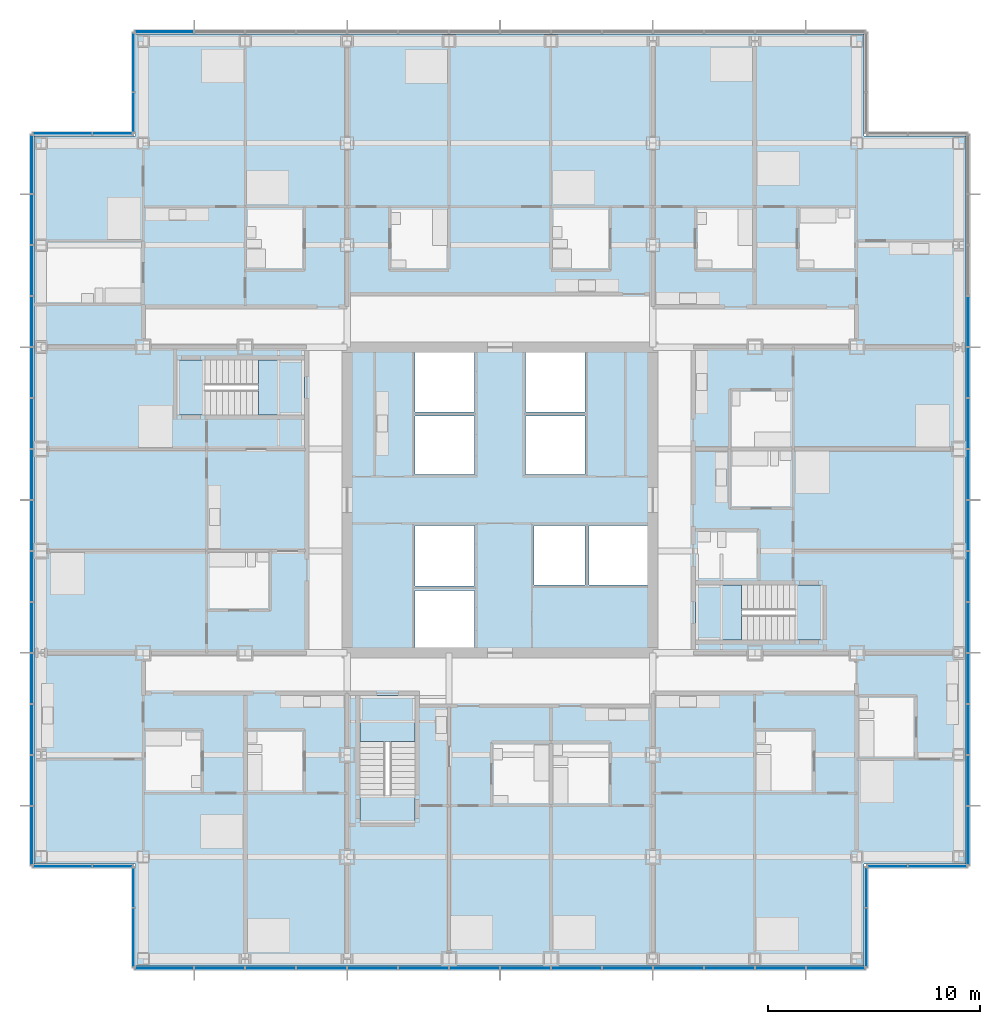
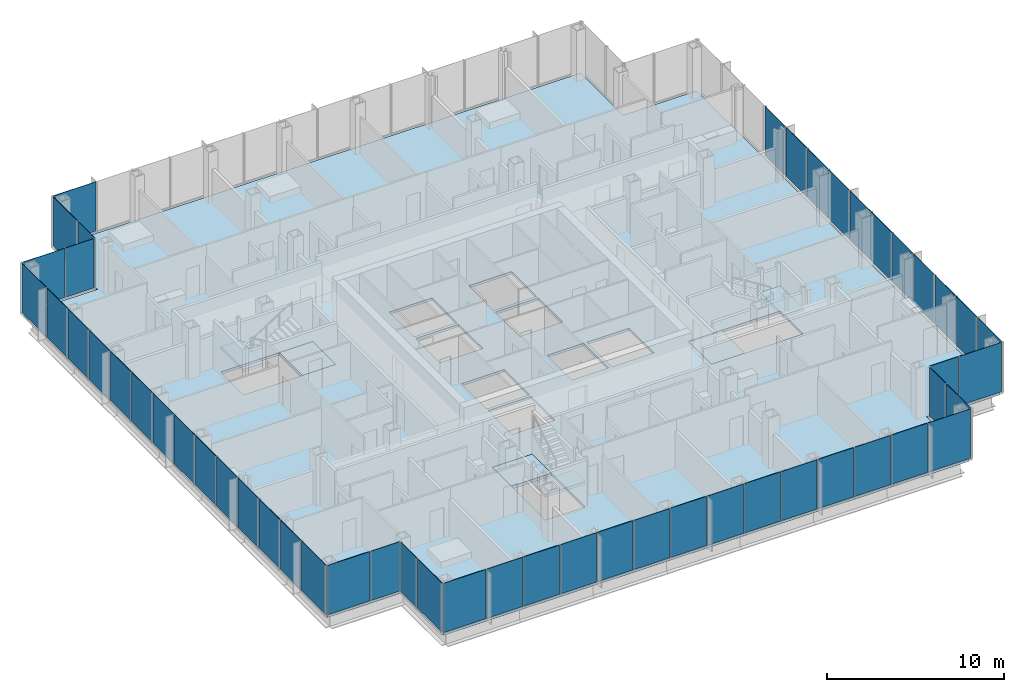
# One storey, part 12 of 21: 52 plates, 7 slabs, 13 elements without a shape of their own.
"""IFC4 building model written with IfcOpenShell, lengths in metres."""

from ifc_helpers import new_model, si_unit, direction, frame, origin, origin_2d, place, context, subcontext, project, spatial, polyline, rectangle, outline, extrude, material, layer, layer_set, type_object, element, aggregate, save


model = new_model("IFC4")

# Units and contexts
model_context = context("Model", 3, precision=1e-05, world=origin(), true_north=direction((0.0, 1.0)))
body_context = subcontext(model_context, "Body", "Model", "MODEL_VIEW")
ifc_project = project(units=[si_unit("LENGTHUNIT", "METRE"), si_unit("AREAUNIT", "SQUARE_METRE"), si_unit("VOLUMEUNIT", "CUBIC_METRE"), si_unit("PLANEANGLEUNIT", "RADIAN"), si_unit("MASSUNIT", "GRAM", prefix="KILO")], contexts=[model_context])

# Site, building, storey
site_placement = place(None, origin())
site = spatial("IfcSite", under=ifc_project, at=site_placement, CompositionType="ELEMENT")
building_placement = place(site_placement, origin())
building = spatial("IfcBuilding", under=site, at=building_placement, Name="Kvirike Care Tower", CompositionType="ELEMENT")
storey_placement = place(building_placement, frame((0.0, 0.0, 37.5)))
storey = spatial("IfcBuildingStorey", under=building, at=storey_placement, Name="L09", CompositionType="ELEMENT", Elevation=37.5)

# Slab
ifc_material_1 = material(Name="Concrete C35/45", Category="concrete")
ifc_layer_1 = layer(ifc_material_1, 0.169921875)
ifc_layer_set_1 = layer_set([ifc_layer_1], Name="FLOOR SLAB 170")
slab_type_1 = type_object("IfcSlabType", Name="FLOOR SLAB 170", PredefinedType="FLOOR", material=ifc_layer_set_1)
slab_1_placement = place(storey_placement, frame((0.0, 0.0, -0.169921875)))
element("IfcSlab", 1, at=slab_1_placement, inside=storey, type_object=slab_type_1, Name="Floor slab L09", PredefinedType="FLOOR", context=body_context, shape_type="SweptSolid", body=[
    extrude(outline(polyline([(-0.35009765625, 53.14990234375), (-0.35009765625, 18.85009765625), (4.449951171875, 18.85009765625), (4.449951171875, 14.050048828125), (38.75, 14.050048828125), (38.75, 18.85009765625), (43.550048828125, 18.85009765625), (43.550048828125, 53.14990234375), (38.75, 53.14990234375), (38.75, 57.949951171875), (4.449951171875, 57.949951171875), (4.449951171875, 53.14990234375), (-0.35009765625, 53.14990234375)]), holes=[polyline([(17.60009765625, 29.050048828125), (17.60009765625, 31.75), (20.39990234375, 31.75), (20.39990234375, 29.050048828125), (17.60009765625, 29.050048828125)]), polyline([(17.60009765625, 31.949951171875), (17.60009765625, 34.800048828125), (20.39990234375, 34.800048828125), (20.39990234375, 31.949951171875), (17.60009765625, 31.949951171875)]), polyline([(17.60009765625, 37.199951171875), (17.60009765625, 39.949951171875), (20.39990234375, 39.949951171875), (20.39990234375, 37.199951171875), (17.60009765625, 37.199951171875)]), polyline([(17.60009765625, 40.14990234375), (17.60009765625, 42.949951171875), (20.39990234375, 42.949951171875), (20.39990234375, 40.14990234375), (17.60009765625, 40.14990234375)]), polyline([(22.800048828125, 37.199951171875), (22.800048828125, 39.949951171875), (25.60009765625, 39.949951171875), (25.60009765625, 37.199951171875), (22.800048828125, 37.199951171875)]), polyline([(22.800048828125, 40.14990234375), (22.800048828125, 42.949951171875), (25.60009765625, 42.949951171875), (25.60009765625, 40.14990234375), (22.800048828125, 40.14990234375)]), polyline([(23.199951171875, 32.0), (23.199951171875, 34.800048828125), (25.60009765625, 34.800048828125), (25.60009765625, 32.0), (23.199951171875, 32.0)]), polyline([(25.800048828125, 32.0), (25.800048828125, 34.800048828125), (28.550048828125, 34.800048828125), (28.550048828125, 32.0), (25.800048828125, 32.0)]), polyline([(12.39990234375, 42.60009765625), (12.39990234375, 40.0), (6.39990234375, 40.0), (6.39990234375, 42.60009765625), (12.39990234375, 42.60009765625)]), polyline([(30.800048828125, 29.39990234375), (30.800048828125, 32.0), (36.800048828125, 32.0), (36.800048828125, 29.39990234375), (30.800048828125, 29.39990234375)]), polyline([(15.0, 26.800048828125), (17.60009765625, 26.800048828125), (17.60009765625, 20.800048828125), (15.0, 20.800048828125), (15.0, 26.800048828125)])]), origin(), (0.0, 0.0, 1.0), 0.169921875),
])

# Stair, slabs
ifc_material_2 = material(Name="Concrete C35/45", Category="concrete")
stair_type = type_object("IfcStairType", Name="STAIR 20 RISERS", PredefinedType="HALF_TURN_STAIR", material=ifc_material_2)
stair_1_placement = place(storey_placement, origin())
stair_1 = element("IfcStair", 2, at=stair_1_placement, inside=storey, type_object=stair_type, Name="Stair 1 L09", PredefinedType="HALF_TURN_STAIR")
ifc_material_3 = material(Name="Concrete C35/45", Category="concrete")
ifc_layer_2 = layer(ifc_material_3, 0.199951171875)
ifc_layer_set_2 = layer_set([ifc_layer_2], Name="STAIR LANDING 200")
slab_type_2 = type_object("IfcSlabType", Name="STAIR LANDING 200", PredefinedType="LANDING", material=ifc_layer_set_2)
slab_2_placement = place(storey_placement, frame((0.0, 0.0, -0.199951171875)))
slab_2 = element("IfcSlab", 3, at=slab_2_placement, type_object=slab_type_2, Name="Stair S1 floor landing L09", PredefinedType="LANDING", context=body_context, shape_type="SweptSolid", body=[
    extrude(outline(polyline([(10.219970703125, 42.60009765625), (10.219970703125, 40.0), (12.39990234375, 40.0), (12.39990234375, 42.60009765625), (10.219970703125, 42.60009765625)])), origin(), (0.0, 0.0, 1.0), 0.199951171875),
])
slab_3_placement = place(storey_placement, frame((0.0, 0.0, 1.550048828125)))
slab_3 = element("IfcSlab", 4, at=slab_3_placement, type_object=slab_type_2, Name="Stair S1 half landing L09-L10", PredefinedType="LANDING", context=body_context, shape_type="SweptSolid", body=[
    extrude(outline(polyline([(6.39990234375, 42.60009765625), (6.39990234375, 40.0), (7.699951171875, 40.0), (7.699951171875, 42.60009765625), (6.39990234375, 42.60009765625)])), origin(), (0.0, 0.0, 1.0), 0.199951171875),
])
aggregate(stair_1, [slab_2, slab_3])

stair_2_placement = place(storey_placement, origin())
stair_2 = element("IfcStair", 5, at=stair_2_placement, inside=storey, type_object=stair_type, Name="Stair 2 L09", PredefinedType="HALF_TURN_STAIR")
slab_4_placement = place(storey_placement, frame((0.0, 0.0, -0.199951171875)))
slab_4 = element("IfcSlab", 6, at=slab_4_placement, type_object=slab_type_2, Name="Stair S2 floor landing L09", PredefinedType="LANDING", context=body_context, shape_type="SweptSolid", body=[
    extrude(outline(polyline([(32.97998046875, 29.39990234375), (32.97998046875, 32.0), (30.800048828125, 32.0), (30.800048828125, 29.39990234375), (32.97998046875, 29.39990234375)])), origin(), (0.0, 0.0, 1.0), 0.199951171875),
])
slab_5_placement = place(storey_placement, frame((0.0, 0.0, 1.550048828125)))
slab_5 = element("IfcSlab", 7, at=slab_5_placement, type_object=slab_type_2, Name="Stair S2 half landing L09-L10", PredefinedType="LANDING", context=body_context, shape_type="SweptSolid", body=[
    extrude(outline(polyline([(36.800048828125, 29.39990234375), (36.800048828125, 32.0), (35.5, 32.0), (35.5, 29.39990234375), (36.800048828125, 29.39990234375)])), origin(), (0.0, 0.0, 1.0), 0.199951171875),
])
aggregate(stair_2, [slab_4, slab_5])

stair_3_placement = place(storey_placement, origin())
stair_3 = element("IfcStair", 8, at=stair_3_placement, inside=storey, type_object=stair_type, Name="Stair 5 L09", PredefinedType="HALF_TURN_STAIR")
slab_6_placement = place(storey_placement, frame((0.0, 0.0, -0.199951171875)))
slab_6 = element("IfcSlab", 9, at=slab_6_placement, type_object=slab_type_2, Name="Stair S5 floor landing L09", PredefinedType="LANDING", context=body_context, shape_type="SweptSolid", body=[
    extrude(outline(polyline([(15.0, 24.6201171875), (17.60009765625, 24.6201171875), (17.60009765625, 26.800048828125), (15.0, 26.800048828125), (15.0, 24.6201171875)])), origin(), (0.0, 0.0, 1.0), 0.199951171875),
])
slab_7_placement = place(storey_placement, frame((0.0, 0.0, 1.550048828125)))
slab_7 = element("IfcSlab", 10, at=slab_7_placement, type_object=slab_type_2, Name="Stair S5 half landing L09-L10", PredefinedType="LANDING", context=body_context, shape_type="SweptSolid", body=[
    extrude(outline(polyline([(15.0, 20.800048828125), (17.60009765625, 20.800048828125), (17.60009765625, 22.10009765625), (15.0, 22.10009765625), (15.0, 20.800048828125)])), origin(), (0.0, 0.0, 1.0), 0.199951171875),
])
aggregate(stair_3, [slab_6, slab_7])

# Curtain wall, plates
ifc_material_4 = material(Name="Anodised aluminium stick system", Category="aluminium")
curtain_wall_type = type_object("IfcCurtainWallType", Name="CW-A STICK CURTAIN WALL", PredefinedType="NOTDEFINED", material=ifc_material_4)
curtain_wall_1_placement = place(storey_placement, origin())
curtain_wall_1 = element("IfcCurtainWall", 11, at=curtain_wall_1_placement, inside=storey, type_object=curtain_wall_type, Name="Curtain wall L09 face 1", PredefinedType="NOTDEFINED")
ifc_material_5 = material(Name="Tinted double glazed unit", Category="glass")
ifc_layer_3 = layer(ifc_material_5, 0.031982421875)
ifc_layer_set_3 = layer_set([ifc_layer_3], Name="TINTED VISION PANEL 32")
plate_type = type_object("IfcPlateType", Name="TINTED VISION PANEL 32", PredefinedType="CURTAIN_PANEL", material=ifc_layer_set_3)
plate_1_placement = place(storey_placement, frame((-0.449951171875, 51.808837890625, 0.10009765625), z_axis=(0.0, 0.0, 1.0), x_axis=(0.0, -1.0, 0.0)))
plate_1 = element("IfcPlate", 12, at=plate_1_placement, type_object=plate_type, Name="CW-A panel L09 face 1.1", PredefinedType="CURTAIN_PANEL", context=body_context, shape_type="SweptSolid", body=[
    extrude(rectangle(XDim=2.75244140625, YDim=0.031982421875, at=origin_2d()), origin(), (0.0, 0.0, 1.0), 3.39990234375),
])
plate_2_placement = place(storey_placement, frame((-0.449951171875, 49.199951171875, 0.10009765625), z_axis=(0.0, 0.0, 1.0), x_axis=(0.0, -1.0, 0.0)))
plate_2 = element("IfcPlate", 13, at=plate_2_placement, type_object=plate_type, Name="CW-A panel L09 face 1.2", PredefinedType="CURTAIN_PANEL", context=body_context, shape_type="SweptSolid", body=[
    extrude(rectangle(XDim=2.3349609375, YDim=0.031982421875, at=origin_2d()), origin(), (0.0, 0.0, 1.0), 3.39990234375),
])
plate_3_placement = place(storey_placement, frame((-0.449951171875, 46.800048828125, 0.10009765625), z_axis=(0.0, 0.0, 1.0), x_axis=(0.0, -1.0, 0.0)))
plate_3 = element("IfcPlate", 14, at=plate_3_placement, type_object=plate_type, Name="CW-A panel L09 face 1.3", PredefinedType="CURTAIN_PANEL", context=body_context, shape_type="SweptSolid", body=[
    extrude(rectangle(XDim=2.3349609375, YDim=0.031982421875, at=origin_2d()), origin(), (0.0, 0.0, 1.0), 3.39990234375),
])
plate_4_placement = place(storey_placement, frame((-0.449951171875, 44.39990234375, 0.10009765625), z_axis=(0.0, 0.0, 1.0), x_axis=(0.0, -1.0, 0.0)))
plate_4 = element("IfcPlate", 15, at=plate_4_placement, type_object=plate_type, Name="CW-A panel L09 face 1.4", PredefinedType="CURTAIN_PANEL", context=body_context, shape_type="SweptSolid", body=[
    extrude(rectangle(XDim=2.3349609375, YDim=0.031982421875, at=origin_2d()), origin(), (0.0, 0.0, 1.0), 3.39990234375),
])
plate_5_placement = place(storey_placement, frame((-0.449951171875, 42.0, 0.10009765625), z_axis=(0.0, 0.0, 1.0), x_axis=(0.0, -1.0, 0.0)))
plate_5 = element("IfcPlate", 16, at=plate_5_placement, type_object=plate_type, Name="CW-A panel L09 face 1.5", PredefinedType="CURTAIN_PANEL", context=body_context, shape_type="SweptSolid", body=[
    extrude(rectangle(XDim=2.3349609375, YDim=0.031982421875, at=origin_2d()), origin(), (0.0, 0.0, 1.0), 3.39990234375),
])
plate_6_placement = place(storey_placement, frame((-0.449951171875, 39.60009765625, 0.10009765625), z_axis=(0.0, 0.0, 1.0), x_axis=(0.0, -1.0, 0.0)))
plate_6 = element("IfcPlate", 17, at=plate_6_placement, type_object=plate_type, Name="CW-A panel L09 face 1.6", PredefinedType="CURTAIN_PANEL", context=body_context, shape_type="SweptSolid", body=[
    extrude(rectangle(XDim=2.3349609375, YDim=0.031982421875, at=origin_2d()), origin(), (0.0, 0.0, 1.0), 3.39990234375),
])
plate_7_placement = place(storey_placement, frame((-0.449951171875, 37.199951171875, 0.10009765625), z_axis=(0.0, 0.0, 1.0), x_axis=(0.0, -1.0, 0.0)))
plate_7 = element("IfcPlate", 18, at=plate_7_placement, type_object=plate_type, Name="CW-A panel L09 face 1.7", PredefinedType="CURTAIN_PANEL", context=body_context, shape_type="SweptSolid", body=[
    extrude(rectangle(XDim=2.3349609375, YDim=0.031982421875, at=origin_2d()), origin(), (0.0, 0.0, 1.0), 3.39990234375),
])
plate_8_placement = place(storey_placement, frame((-0.449951171875, 34.800048828125, 0.10009765625), z_axis=(0.0, 0.0, 1.0), x_axis=(0.0, -1.0, 0.0)))
plate_8 = element("IfcPlate", 19, at=plate_8_placement, type_object=plate_type, Name="CW-A panel L09 face 1.8", PredefinedType="CURTAIN_PANEL", context=body_context, shape_type="SweptSolid", body=[
    extrude(rectangle(XDim=2.3349609375, YDim=0.031982421875, at=origin_2d()), origin(), (0.0, 0.0, 1.0), 3.39990234375),
])
plate_9_placement = place(storey_placement, frame((-0.449951171875, 32.39990234375, 0.10009765625), z_axis=(0.0, 0.0, 1.0), x_axis=(0.0, -1.0, 0.0)))
plate_9 = element("IfcPlate", 20, at=plate_9_placement, type_object=plate_type, Name="CW-A panel L09 face 1.9", PredefinedType="CURTAIN_PANEL", context=body_context, shape_type="SweptSolid", body=[
    extrude(rectangle(XDim=2.3349609375, YDim=0.031982421875, at=origin_2d()), origin(), (0.0, 0.0, 1.0), 3.39990234375),
])
plate_10_placement = place(storey_placement, frame((-0.449951171875, 30.0, 0.10009765625), z_axis=(0.0, 0.0, 1.0), x_axis=(0.0, -1.0, 0.0)))
plate_10 = element("IfcPlate", 21, at=plate_10_placement, type_object=plate_type, Name="CW-A panel L09 face 1.10", PredefinedType="CURTAIN_PANEL", context=body_context, shape_type="SweptSolid", body=[
    extrude(rectangle(XDim=2.3349609375, YDim=0.031982421875, at=origin_2d()), origin(), (0.0, 0.0, 1.0), 3.39990234375),
])
plate_11_placement = place(storey_placement, frame((-0.449951171875, 27.60009765625, 0.10009765625), z_axis=(0.0, 0.0, 1.0), x_axis=(0.0, -1.0, 0.0)))
plate_11 = element("IfcPlate", 22, at=plate_11_placement, type_object=plate_type, Name="CW-A panel L09 face 1.11", PredefinedType="CURTAIN_PANEL", context=body_context, shape_type="SweptSolid", body=[
    extrude(rectangle(XDim=2.3349609375, YDim=0.031982421875, at=origin_2d()), origin(), (0.0, 0.0, 1.0), 3.39990234375),
])
plate_12_placement = place(storey_placement, frame((-0.449951171875, 25.199951171875, 0.10009765625), z_axis=(0.0, 0.0, 1.0), x_axis=(0.0, -1.0, 0.0)))
plate_12 = element("IfcPlate", 23, at=plate_12_placement, type_object=plate_type, Name="CW-A panel L09 face 1.12", PredefinedType="CURTAIN_PANEL", context=body_context, shape_type="SweptSolid", body=[
    extrude(rectangle(XDim=2.3349609375, YDim=0.031982421875, at=origin_2d()), origin(), (0.0, 0.0, 1.0), 3.39990234375),
])
plate_13_placement = place(storey_placement, frame((-0.449951171875, 22.800048828125, 0.10009765625), z_axis=(0.0, 0.0, 1.0), x_axis=(0.0, -1.0, 0.0)))
plate_13 = element("IfcPlate", 24, at=plate_13_placement, type_object=plate_type, Name="CW-A panel L09 face 1.13", PredefinedType="CURTAIN_PANEL", context=body_context, shape_type="SweptSolid", body=[
    extrude(rectangle(XDim=2.3349609375, YDim=0.031982421875, at=origin_2d()), origin(), (0.0, 0.0, 1.0), 3.39990234375),
])
plate_14_placement = place(storey_placement, frame((-0.449951171875, 20.191162109375, 0.10009765625), z_axis=(0.0, 0.0, 1.0), x_axis=(0.0, -1.0, 0.0)))
plate_14 = element("IfcPlate", 25, at=plate_14_placement, type_object=plate_type, Name="CW-A panel L09 face 1.14", PredefinedType="CURTAIN_PANEL", context=body_context, shape_type="SweptSolid", body=[
    extrude(rectangle(XDim=2.75244140625, YDim=0.031982421875, at=origin_2d()), origin(), (0.0, 0.0, 1.0), 3.39990234375),
])
aggregate(curtain_wall_1, [plate_1, plate_2, plate_3, plate_4, plate_5, plate_6, plate_7, plate_8, plate_9, plate_10, plate_11, plate_12, plate_13, plate_14])

curtain_wall_2_placement = place(storey_placement, origin())
curtain_wall_2 = element("IfcCurtainWall", 26, at=curtain_wall_2_placement, inside=storey, type_object=curtain_wall_type, Name="Curtain wall L09 face 2", PredefinedType="NOTDEFINED")
plate_15_placement = place(storey_placement, frame((0.9912109375, 18.75, 0.10009765625), z_axis=(0.0, 0.0, 1.0), x_axis=(1.0, 0.0, 0.0)))
plate_15 = element("IfcPlate", 27, at=plate_15_placement, type_object=plate_type, Name="CW-A panel L09 face 2.1", PredefinedType="CURTAIN_PANEL", context=body_context, shape_type="SweptSolid", body=[
    extrude(rectangle(XDim=2.75244140625, YDim=0.031982421875, at=origin_2d()), origin(), (0.0, 0.0, 1.0), 3.39990234375),
])
plate_16_placement = place(storey_placement, frame((3.358642578125, 18.75, 0.10009765625), z_axis=(0.0, 0.0, 1.0), x_axis=(1.0, 0.0, 0.0)))
plate_16 = element("IfcPlate", 28, at=plate_16_placement, type_object=plate_type, Name="CW-A panel L09 face 2.2", PredefinedType="CURTAIN_PANEL", context=body_context, shape_type="SweptSolid", body=[
    extrude(rectangle(XDim=1.8525390625, YDim=0.031982421875, at=origin_2d()), origin(), (0.0, 0.0, 1.0), 3.39990234375),
])
aggregate(curtain_wall_2, [plate_15, plate_16])

curtain_wall_3_placement = place(storey_placement, origin())
curtain_wall_3 = element("IfcCurtainWall", 29, at=curtain_wall_3_placement, inside=storey, type_object=curtain_wall_type, Name="Curtain wall L09 face 3", PredefinedType="NOTDEFINED")
plate_17_placement = place(storey_placement, frame((4.35009765625, 17.7587890625, 0.10009765625), z_axis=(0.0, 0.0, 1.0), x_axis=(0.0, -1.0, 0.0)))
plate_17 = element("IfcPlate", 30, at=plate_17_placement, type_object=plate_type, Name="CW-A panel L09 face 3.1", PredefinedType="CURTAIN_PANEL", context=body_context, shape_type="SweptSolid", body=[
    extrude(rectangle(XDim=1.8525390625, YDim=0.031982421875, at=origin_2d()), origin(), (0.0, 0.0, 1.0), 3.39990234375),
])
plate_18_placement = place(storey_placement, frame((4.35009765625, 15.391357421875, 0.10009765625), z_axis=(0.0, 0.0, 1.0), x_axis=(0.0, -1.0, 0.0)))
plate_18 = element("IfcPlate", 31, at=plate_18_placement, type_object=plate_type, Name="CW-A panel L09 face 3.2", PredefinedType="CURTAIN_PANEL", context=body_context, shape_type="SweptSolid", body=[
    extrude(rectangle(XDim=2.75244140625, YDim=0.031982421875, at=origin_2d()), origin(), (0.0, 0.0, 1.0), 3.39990234375),
])
aggregate(curtain_wall_3, [plate_17, plate_18])

curtain_wall_4_placement = place(storey_placement, origin())
curtain_wall_4 = element("IfcCurtainWall", 32, at=curtain_wall_4_placement, inside=storey, type_object=curtain_wall_type, Name="Curtain wall L09 face 4", PredefinedType="NOTDEFINED")
plate_19_placement = place(storey_placement, frame((5.791259765625, 13.949951171875, 0.10009765625), z_axis=(0.0, 0.0, 1.0), x_axis=(1.0, 0.0, 0.0)))
plate_19 = element("IfcPlate", 33, at=plate_19_placement, type_object=plate_type, Name="CW-A panel L09 face 4.1", PredefinedType="CURTAIN_PANEL", context=body_context, shape_type="SweptSolid", body=[
    extrude(rectangle(XDim=2.75244140625, YDim=0.031982421875, at=origin_2d()), origin(), (0.0, 0.0, 1.0), 3.39990234375),
])
plate_20_placement = place(storey_placement, frame((8.39990234375, 13.949951171875, 0.10009765625), z_axis=(0.0, 0.0, 1.0), x_axis=(1.0, 0.0, 0.0)))
plate_20 = element("IfcPlate", 34, at=plate_20_placement, type_object=plate_type, Name="CW-A panel L09 face 4.2", PredefinedType="CURTAIN_PANEL", context=body_context, shape_type="SweptSolid", body=[
    extrude(rectangle(XDim=2.3349609375, YDim=0.031982421875, at=origin_2d()), origin(), (0.0, 0.0, 1.0), 3.39990234375),
])
plate_21_placement = place(storey_placement, frame((10.800048828125, 13.949951171875, 0.10009765625), z_axis=(0.0, 0.0, 1.0), x_axis=(1.0, 0.0, 0.0)))
plate_21 = element("IfcPlate", 35, at=plate_21_placement, type_object=plate_type, Name="CW-A panel L09 face 4.3", PredefinedType="CURTAIN_PANEL", context=body_context, shape_type="SweptSolid", body=[
    extrude(rectangle(XDim=2.3349609375, YDim=0.031982421875, at=origin_2d()), origin(), (0.0, 0.0, 1.0), 3.39990234375),
])
plate_22_placement = place(storey_placement, frame((13.199951171875, 13.949951171875, 0.10009765625), z_axis=(0.0, 0.0, 1.0), x_axis=(1.0, 0.0, 0.0)))
plate_22 = element("IfcPlate", 36, at=plate_22_placement, type_object=plate_type, Name="CW-A panel L09 face 4.4", PredefinedType="CURTAIN_PANEL", context=body_context, shape_type="SweptSolid", body=[
    extrude(rectangle(XDim=2.3349609375, YDim=0.031982421875, at=origin_2d()), origin(), (0.0, 0.0, 1.0), 3.39990234375),
])
plate_23_placement = place(storey_placement, frame((15.60009765625, 13.949951171875, 0.10009765625), z_axis=(0.0, 0.0, 1.0), x_axis=(1.0, 0.0, 0.0)))
plate_23 = element("IfcPlate", 37, at=plate_23_placement, type_object=plate_type, Name="CW-A panel L09 face 4.5", PredefinedType="CURTAIN_PANEL", context=body_context, shape_type="SweptSolid", body=[
    extrude(rectangle(XDim=2.3349609375, YDim=0.031982421875, at=origin_2d()), origin(), (0.0, 0.0, 1.0), 3.39990234375),
])
plate_24_placement = place(storey_placement, frame((18.0, 13.949951171875, 0.10009765625), z_axis=(0.0, 0.0, 1.0), x_axis=(1.0, 0.0, 0.0)))
plate_24 = element("IfcPlate", 38, at=plate_24_placement, type_object=plate_type, Name="CW-A panel L09 face 4.6", PredefinedType="CURTAIN_PANEL", context=body_context, shape_type="SweptSolid", body=[
    extrude(rectangle(XDim=2.3349609375, YDim=0.031982421875, at=origin_2d()), origin(), (0.0, 0.0, 1.0), 3.39990234375),
])
plate_25_placement = place(storey_placement, frame((20.39990234375, 13.949951171875, 0.10009765625), z_axis=(0.0, 0.0, 1.0), x_axis=(1.0, 0.0, 0.0)))
plate_25 = element("IfcPlate", 39, at=plate_25_placement, type_object=plate_type, Name="CW-A panel L09 face 4.7", PredefinedType="CURTAIN_PANEL", context=body_context, shape_type="SweptSolid", body=[
    extrude(rectangle(XDim=2.3349609375, YDim=0.031982421875, at=origin_2d()), origin(), (0.0, 0.0, 1.0), 3.39990234375),
])
plate_26_placement = place(storey_placement, frame((22.800048828125, 13.949951171875, 0.10009765625), z_axis=(0.0, 0.0, 1.0), x_axis=(1.0, 0.0, 0.0)))
plate_26 = element("IfcPlate", 40, at=plate_26_placement, type_object=plate_type, Name="CW-A panel L09 face 4.8", PredefinedType="CURTAIN_PANEL", context=body_context, shape_type="SweptSolid", body=[
    extrude(rectangle(XDim=2.3349609375, YDim=0.031982421875, at=origin_2d()), origin(), (0.0, 0.0, 1.0), 3.39990234375),
])
plate_27_placement = place(storey_placement, frame((25.199951171875, 13.949951171875, 0.10009765625), z_axis=(0.0, 0.0, 1.0), x_axis=(1.0, 0.0, 0.0)))
plate_27 = element("IfcPlate", 41, at=plate_27_placement, type_object=plate_type, Name="CW-A panel L09 face 4.9", PredefinedType="CURTAIN_PANEL", context=body_context, shape_type="SweptSolid", body=[
    extrude(rectangle(XDim=2.3349609375, YDim=0.031982421875, at=origin_2d()), origin(), (0.0, 0.0, 1.0), 3.39990234375),
])
plate_28_placement = place(storey_placement, frame((27.60009765625, 13.949951171875, 0.10009765625), z_axis=(0.0, 0.0, 1.0), x_axis=(1.0, 0.0, 0.0)))
plate_28 = element("IfcPlate", 42, at=plate_28_placement, type_object=plate_type, Name="CW-A panel L09 face 4.10", PredefinedType="CURTAIN_PANEL", context=body_context, shape_type="SweptSolid", body=[
    extrude(rectangle(XDim=2.3349609375, YDim=0.031982421875, at=origin_2d()), origin(), (0.0, 0.0, 1.0), 3.39990234375),
])
plate_29_placement = place(storey_placement, frame((30.0, 13.949951171875, 0.10009765625), z_axis=(0.0, 0.0, 1.0), x_axis=(1.0, 0.0, 0.0)))
plate_29 = element("IfcPlate", 43, at=plate_29_placement, type_object=plate_type, Name="CW-A panel L09 face 4.11", PredefinedType="CURTAIN_PANEL", context=body_context, shape_type="SweptSolid", body=[
    extrude(rectangle(XDim=2.3349609375, YDim=0.031982421875, at=origin_2d()), origin(), (0.0, 0.0, 1.0), 3.39990234375),
])
plate_30_placement = place(storey_placement, frame((32.39990234375, 13.949951171875, 0.10009765625), z_axis=(0.0, 0.0, 1.0), x_axis=(1.0, 0.0, 0.0)))
plate_30 = element("IfcPlate", 44, at=plate_30_placement, type_object=plate_type, Name="CW-A panel L09 face 4.12", PredefinedType="CURTAIN_PANEL", context=body_context, shape_type="SweptSolid", body=[
    extrude(rectangle(XDim=2.3349609375, YDim=0.031982421875, at=origin_2d()), origin(), (0.0, 0.0, 1.0), 3.39990234375),
])
plate_31_placement = place(storey_placement, frame((34.800048828125, 13.949951171875, 0.10009765625), z_axis=(0.0, 0.0, 1.0), x_axis=(1.0, 0.0, 0.0)))
plate_31 = element("IfcPlate", 45, at=plate_31_placement, type_object=plate_type, Name="CW-A panel L09 face 4.13", PredefinedType="CURTAIN_PANEL", context=body_context, shape_type="SweptSolid", body=[
    extrude(rectangle(XDim=2.3349609375, YDim=0.031982421875, at=origin_2d()), origin(), (0.0, 0.0, 1.0), 3.39990234375),
])
plate_32_placement = place(storey_placement, frame((37.40869140625, 13.949951171875, 0.10009765625), z_axis=(0.0, 0.0, 1.0), x_axis=(1.0, 0.0, 0.0)))
plate_32 = element("IfcPlate", 46, at=plate_32_placement, type_object=plate_type, Name="CW-A panel L09 face 4.14", PredefinedType="CURTAIN_PANEL", context=body_context, shape_type="SweptSolid", body=[
    extrude(rectangle(XDim=2.75244140625, YDim=0.031982421875, at=origin_2d()), origin(), (0.0, 0.0, 1.0), 3.39990234375),
])
aggregate(curtain_wall_4, [plate_19, plate_20, plate_21, plate_22, plate_23, plate_24, plate_25, plate_26, plate_27, plate_28, plate_29, plate_30, plate_31, plate_32])

curtain_wall_5_placement = place(storey_placement, origin())
curtain_wall_5 = element("IfcCurtainWall", 47, at=curtain_wall_5_placement, inside=storey, type_object=curtain_wall_type, Name="Curtain wall L09 face 5", PredefinedType="NOTDEFINED")
plate_33_placement = place(storey_placement, frame((38.85009765625, 15.391357421875, 0.10009765625), z_axis=(0.0, 0.0, 1.0), x_axis=(0.0, 1.0, 0.0)))
plate_33 = element("IfcPlate", 48, at=plate_33_placement, type_object=plate_type, Name="CW-A panel L09 face 5.1", PredefinedType="CURTAIN_PANEL", context=body_context, shape_type="SweptSolid", body=[
    extrude(rectangle(XDim=2.75244140625, YDim=0.031982421875, at=origin_2d()), origin(), (0.0, 0.0, 1.0), 3.39990234375),
])
plate_34_placement = place(storey_placement, frame((38.85009765625, 17.7587890625, 0.10009765625), z_axis=(0.0, 0.0, 1.0), x_axis=(0.0, 1.0, 0.0)))
plate_34 = element("IfcPlate", 49, at=plate_34_placement, type_object=plate_type, Name="CW-A panel L09 face 5.2", PredefinedType="CURTAIN_PANEL", context=body_context, shape_type="SweptSolid", body=[
    extrude(rectangle(XDim=1.8525390625, YDim=0.031982421875, at=origin_2d()), origin(), (0.0, 0.0, 1.0), 3.39990234375),
])
aggregate(curtain_wall_5, [plate_33, plate_34])

curtain_wall_6_placement = place(storey_placement, origin())
curtain_wall_6 = element("IfcCurtainWall", 50, at=curtain_wall_6_placement, inside=storey, type_object=curtain_wall_type, Name="Curtain wall L09 face 6", PredefinedType="NOTDEFINED")
plate_35_placement = place(storey_placement, frame((39.84130859375, 18.75, 0.10009765625), z_axis=(0.0, 0.0, 1.0), x_axis=(1.0, 0.0, 0.0)))
plate_35 = element("IfcPlate", 51, at=plate_35_placement, type_object=plate_type, Name="CW-A panel L09 face 6.1", PredefinedType="CURTAIN_PANEL", context=body_context, shape_type="SweptSolid", body=[
    extrude(rectangle(XDim=1.8525390625, YDim=0.031982421875, at=origin_2d()), origin(), (0.0, 0.0, 1.0), 3.39990234375),
])
plate_36_placement = place(storey_placement, frame((42.208740234375, 18.75, 0.10009765625), z_axis=(0.0, 0.0, 1.0), x_axis=(1.0, 0.0, 0.0)))
plate_36 = element("IfcPlate", 52, at=plate_36_placement, type_object=plate_type, Name="CW-A panel L09 face 6.2", PredefinedType="CURTAIN_PANEL", context=body_context, shape_type="SweptSolid", body=[
    extrude(rectangle(XDim=2.75244140625, YDim=0.031982421875, at=origin_2d()), origin(), (0.0, 0.0, 1.0), 3.39990234375),
])
aggregate(curtain_wall_6, [plate_35, plate_36])

curtain_wall_7_placement = place(storey_placement, origin())
curtain_wall_7 = element("IfcCurtainWall", 53, at=curtain_wall_7_placement, inside=storey, type_object=curtain_wall_type, Name="Curtain wall L09 face 7", PredefinedType="NOTDEFINED")
plate_37_placement = place(storey_placement, frame((43.64990234375, 20.191162109375, 0.10009765625), z_axis=(0.0, 0.0, 1.0), x_axis=(0.0, 1.0, 0.0)))
plate_37 = element("IfcPlate", 54, at=plate_37_placement, type_object=plate_type, Name="CW-A panel L09 face 7.1", PredefinedType="CURTAIN_PANEL", context=body_context, shape_type="SweptSolid", body=[
    extrude(rectangle(XDim=2.75244140625, YDim=0.031982421875, at=origin_2d()), origin(), (0.0, 0.0, 1.0), 3.39990234375),
])
plate_38_placement = place(storey_placement, frame((43.64990234375, 22.800048828125, 0.10009765625), z_axis=(0.0, 0.0, 1.0), x_axis=(0.0, 1.0, 0.0)))
plate_38 = element("IfcPlate", 55, at=plate_38_placement, type_object=plate_type, Name="CW-A panel L09 face 7.2", PredefinedType="CURTAIN_PANEL", context=body_context, shape_type="SweptSolid", body=[
    extrude(rectangle(XDim=2.3349609375, YDim=0.031982421875, at=origin_2d()), origin(), (0.0, 0.0, 1.0), 3.39990234375),
])
plate_39_placement = place(storey_placement, frame((43.64990234375, 25.199951171875, 0.10009765625), z_axis=(0.0, 0.0, 1.0), x_axis=(0.0, 1.0, 0.0)))
plate_39 = element("IfcPlate", 56, at=plate_39_placement, type_object=plate_type, Name="CW-A panel L09 face 7.3", PredefinedType="CURTAIN_PANEL", context=body_context, shape_type="SweptSolid", body=[
    extrude(rectangle(XDim=2.3349609375, YDim=0.031982421875, at=origin_2d()), origin(), (0.0, 0.0, 1.0), 3.39990234375),
])
plate_40_placement = place(storey_placement, frame((43.64990234375, 27.60009765625, 0.10009765625), z_axis=(0.0, 0.0, 1.0), x_axis=(0.0, 1.0, 0.0)))
plate_40 = element("IfcPlate", 57, at=plate_40_placement, type_object=plate_type, Name="CW-A panel L09 face 7.4", PredefinedType="CURTAIN_PANEL", context=body_context, shape_type="SweptSolid", body=[
    extrude(rectangle(XDim=2.3349609375, YDim=0.031982421875, at=origin_2d()), origin(), (0.0, 0.0, 1.0), 3.39990234375),
])
plate_41_placement = place(storey_placement, frame((43.64990234375, 30.0, 0.10009765625), z_axis=(0.0, 0.0, 1.0), x_axis=(0.0, 1.0, 0.0)))
plate_41 = element("IfcPlate", 58, at=plate_41_placement, type_object=plate_type, Name="CW-A panel L09 face 7.5", PredefinedType="CURTAIN_PANEL", context=body_context, shape_type="SweptSolid", body=[
    extrude(rectangle(XDim=2.3349609375, YDim=0.031982421875, at=origin_2d()), origin(), (0.0, 0.0, 1.0), 3.39990234375),
])
plate_42_placement = place(storey_placement, frame((43.64990234375, 32.39990234375, 0.10009765625), z_axis=(0.0, 0.0, 1.0), x_axis=(0.0, 1.0, 0.0)))
plate_42 = element("IfcPlate", 59, at=plate_42_placement, type_object=plate_type, Name="CW-A panel L09 face 7.6", PredefinedType="CURTAIN_PANEL", context=body_context, shape_type="SweptSolid", body=[
    extrude(rectangle(XDim=2.3349609375, YDim=0.031982421875, at=origin_2d()), origin(), (0.0, 0.0, 1.0), 3.39990234375),
])
plate_43_placement = place(storey_placement, frame((43.64990234375, 34.800048828125, 0.10009765625), z_axis=(0.0, 0.0, 1.0), x_axis=(0.0, 1.0, 0.0)))
plate_43 = element("IfcPlate", 60, at=plate_43_placement, type_object=plate_type, Name="CW-A panel L09 face 7.7", PredefinedType="CURTAIN_PANEL", context=body_context, shape_type="SweptSolid", body=[
    extrude(rectangle(XDim=2.3349609375, YDim=0.031982421875, at=origin_2d()), origin(), (0.0, 0.0, 1.0), 3.39990234375),
])
plate_44_placement = place(storey_placement, frame((43.64990234375, 37.199951171875, 0.10009765625), z_axis=(0.0, 0.0, 1.0), x_axis=(0.0, 1.0, 0.0)))
plate_44 = element("IfcPlate", 61, at=plate_44_placement, type_object=plate_type, Name="CW-A panel L09 face 7.8", PredefinedType="CURTAIN_PANEL", context=body_context, shape_type="SweptSolid", body=[
    extrude(rectangle(XDim=2.3349609375, YDim=0.031982421875, at=origin_2d()), origin(), (0.0, 0.0, 1.0), 3.39990234375),
])
plate_45_placement = place(storey_placement, frame((43.64990234375, 39.60009765625, 0.10009765625), z_axis=(0.0, 0.0, 1.0), x_axis=(0.0, 1.0, 0.0)))
plate_45 = element("IfcPlate", 62, at=plate_45_placement, type_object=plate_type, Name="CW-A panel L09 face 7.9", PredefinedType="CURTAIN_PANEL", context=body_context, shape_type="SweptSolid", body=[
    extrude(rectangle(XDim=2.3349609375, YDim=0.031982421875, at=origin_2d()), origin(), (0.0, 0.0, 1.0), 3.39990234375),
])
plate_46_placement = place(storey_placement, frame((43.64990234375, 42.0, 0.10009765625), z_axis=(0.0, 0.0, 1.0), x_axis=(0.0, 1.0, 0.0)))
plate_46 = element("IfcPlate", 63, at=plate_46_placement, type_object=plate_type, Name="CW-A panel L09 face 7.10", PredefinedType="CURTAIN_PANEL", context=body_context, shape_type="SweptSolid", body=[
    extrude(rectangle(XDim=2.3349609375, YDim=0.031982421875, at=origin_2d()), origin(), (0.0, 0.0, 1.0), 3.39990234375),
])
plate_47_placement = place(storey_placement, frame((43.64990234375, 44.39990234375, 0.10009765625), z_axis=(0.0, 0.0, 1.0), x_axis=(0.0, 1.0, 0.0)))
plate_47 = element("IfcPlate", 64, at=plate_47_placement, type_object=plate_type, Name="CW-A panel L09 face 7.11", PredefinedType="CURTAIN_PANEL", context=body_context, shape_type="SweptSolid", body=[
    extrude(rectangle(XDim=2.3349609375, YDim=0.031982421875, at=origin_2d()), origin(), (0.0, 0.0, 1.0), 3.39990234375),
])
aggregate(curtain_wall_7, [plate_37, plate_38, plate_39, plate_40, plate_41, plate_42, plate_43, plate_44, plate_45, plate_46, plate_47])

# Curtain wall, plate
curtain_wall_8_placement = place(storey_placement, origin())
curtain_wall_8 = element("IfcCurtainWall", 65, at=curtain_wall_8_placement, inside=storey, type_object=curtain_wall_type, Name="Curtain wall L09 face 10", PredefinedType="NOTDEFINED")
plate_48_placement = place(storey_placement, frame((5.791259765625, 58.050048828125, 0.10009765625), z_axis=(0.0, 0.0, 1.0), x_axis=(-1.0, 0.0, 0.0)))
plate_48 = element("IfcPlate", 66, at=plate_48_placement, type_object=plate_type, Name="CW-A panel L09 face 10.14", PredefinedType="CURTAIN_PANEL", context=body_context, shape_type="SweptSolid", body=[
    extrude(rectangle(XDim=2.75244140625, YDim=0.031982421875, at=origin_2d()), origin(), (0.0, 0.0, 1.0), 3.39990234375),
])
aggregate(curtain_wall_8, [plate_48])

# Curtain wall, plates
curtain_wall_9_placement = place(storey_placement, origin())
curtain_wall_9 = element("IfcCurtainWall", 67, at=curtain_wall_9_placement, inside=storey, type_object=curtain_wall_type, Name="Curtain wall L09 face 11", PredefinedType="NOTDEFINED")
plate_49_placement = place(storey_placement, frame((4.35009765625, 56.608642578125, 0.10009765625), z_axis=(0.0, 0.0, 1.0), x_axis=(0.0, -1.0, 0.0)))
plate_49 = element("IfcPlate", 68, at=plate_49_placement, type_object=plate_type, Name="CW-A panel L09 face 11.1", PredefinedType="CURTAIN_PANEL", context=body_context, shape_type="SweptSolid", body=[
    extrude(rectangle(XDim=2.75244140625, YDim=0.031982421875, at=origin_2d()), origin(), (0.0, 0.0, 1.0), 3.39990234375),
])
plate_50_placement = place(storey_placement, frame((4.35009765625, 54.2412109375, 0.10009765625), z_axis=(0.0, 0.0, 1.0), x_axis=(0.0, -1.0, 0.0)))
plate_50 = element("IfcPlate", 69, at=plate_50_placement, type_object=plate_type, Name="CW-A panel L09 face 11.2", PredefinedType="CURTAIN_PANEL", context=body_context, shape_type="SweptSolid", body=[
    extrude(rectangle(XDim=1.8525390625, YDim=0.031982421875, at=origin_2d()), origin(), (0.0, 0.0, 1.0), 3.39990234375),
])
aggregate(curtain_wall_9, [plate_49, plate_50])

curtain_wall_10_placement = place(storey_placement, origin())
curtain_wall_10 = element("IfcCurtainWall", 70, at=curtain_wall_10_placement, inside=storey, type_object=curtain_wall_type, Name="Curtain wall L09 face 12", PredefinedType="NOTDEFINED")
plate_51_placement = place(storey_placement, frame((3.358642578125, 53.25, 0.10009765625), z_axis=(0.0, 0.0, 1.0), x_axis=(-1.0, 0.0, 0.0)))
plate_51 = element("IfcPlate", 71, at=plate_51_placement, type_object=plate_type, Name="CW-A panel L09 face 12.1", PredefinedType="CURTAIN_PANEL", context=body_context, shape_type="SweptSolid", body=[
    extrude(rectangle(XDim=1.8525390625, YDim=0.031982421875, at=origin_2d()), origin(), (0.0, 0.0, 1.0), 3.39990234375),
])
plate_52_placement = place(storey_placement, frame((0.9912109375, 53.25, 0.10009765625), z_axis=(0.0, 0.0, 1.0), x_axis=(-1.0, 0.0, 0.0)))
plate_52 = element("IfcPlate", 72, at=plate_52_placement, type_object=plate_type, Name="CW-A panel L09 face 12.2", PredefinedType="CURTAIN_PANEL", context=body_context, shape_type="SweptSolid", body=[
    extrude(rectangle(XDim=2.75244140625, YDim=0.031982421875, at=origin_2d()), origin(), (0.0, 0.0, 1.0), 3.39990234375),
])
aggregate(curtain_wall_10, [plate_51, plate_52])

save(model, "model.ifc")
